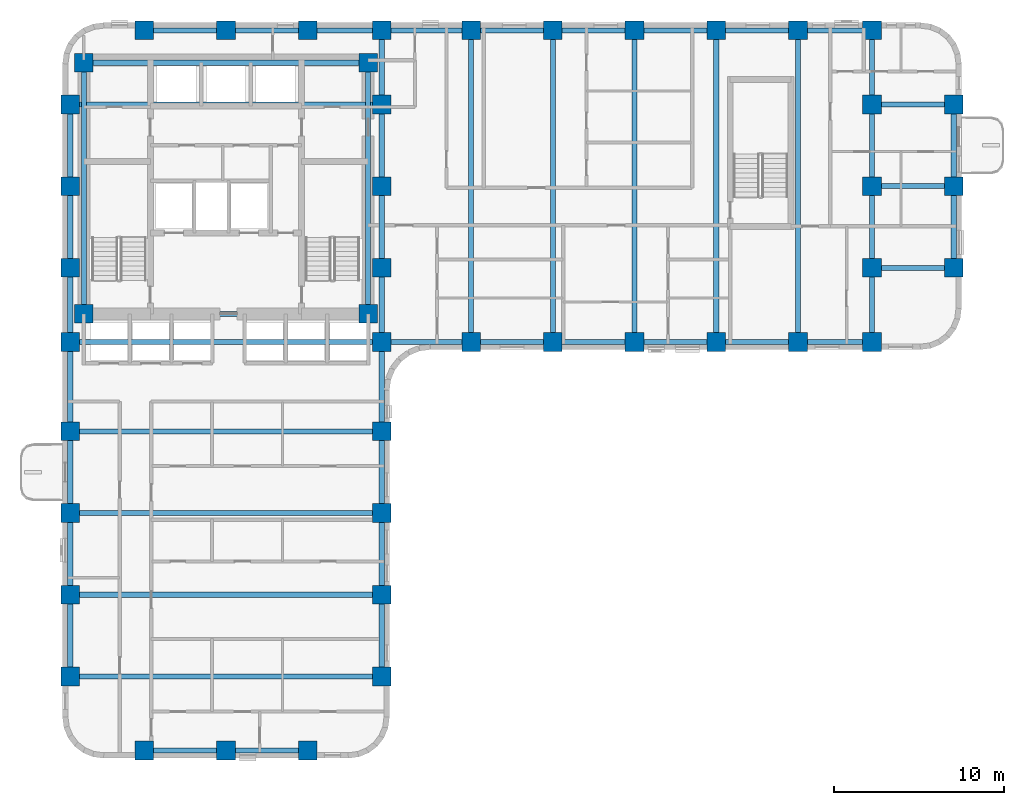
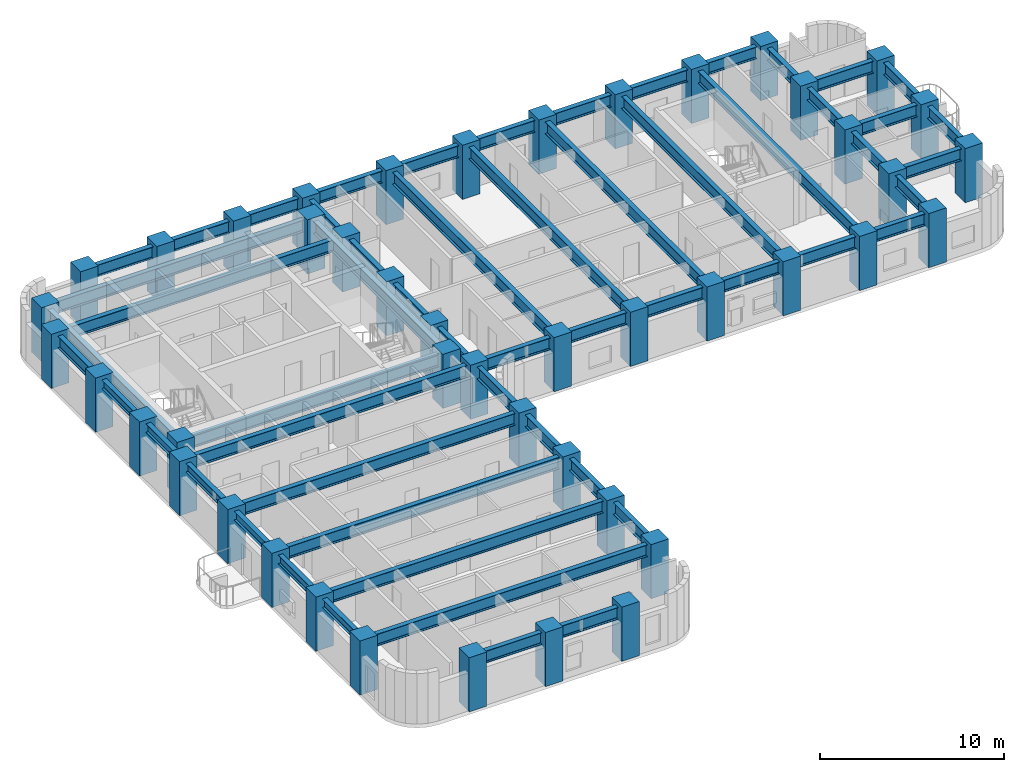
# One storey, part 1 of 10: 56 beams, 45 columns.
"""IFC4 building model written with IfcOpenShell, lengths in metres."""

from ifc_helpers import new_model, si_unit, direction, frame, origin, origin_2d, place, context, subcontext, project, spatial, rectangle, i_section, extrude, material, material_profile, profile_set, type_object, element, save


model = new_model("IFC4")

# Units and contexts
model_context = context("Model", 3, precision=1e-05, world=origin(), true_north=direction((0.0, 1.0)))
body_context = subcontext(model_context, "Body", "Model", "MODEL_VIEW")
ifc_project = project(units=[si_unit("LENGTHUNIT", "METRE"), si_unit("AREAUNIT", "SQUARE_METRE"), si_unit("VOLUMEUNIT", "CUBIC_METRE"), si_unit("PLANEANGLEUNIT", "RADIAN"), si_unit("MASSUNIT", "GRAM", prefix="KILO")], contexts=[model_context])

# Site, building, storey
site_placement = place(None, origin())
site = spatial("IfcSite", under=ifc_project, at=site_placement, CompositionType="ELEMENT")
building_placement = place(site_placement, origin())
building = spatial("IfcBuilding", under=site, at=building_placement, Name="Orvandelia Arch Residences", CompositionType="ELEMENT")
storey_placement = place(building_placement, frame((0.0, 0.0, 68.199951171875)))
storey = spatial("IfcBuildingStorey", under=building, at=storey_placement, Name="L17", CompositionType="ELEMENT", Elevation=68.199951171875)

# Columns
ifc_material_1 = material(Name="Concrete C80/95", Category="concrete")
ifc_material_profile_1 = material_profile(ifc_material_1, rectangle(XDim=1.10009765625, YDim=1.10009765625, at=origin_2d()), Name="Concrete C80/95", Category="concrete")
ifc_profile_set_1 = profile_set([ifc_material_profile_1], Name="Concrete C80/95")
column_type = type_object("IfcColumnType", Name="COL-TWR-1100", PredefinedType="COLUMN", material=ifc_profile_set_1)
for number, where, z_axis, x_axis, name in (
    (1, (5.25, 9.60009765625, 0.0), (0.0, 0.0, 1.0), (1.0, 0.0, 0.0), "Structural Column L17-W-W-96"),
    (2, (5.25, 14.39990234375, 0.0), (0.0, 0.0, 1.0), (1.0, 0.0, 0.0), "Structural Column L17-W-W-144"),
    (3, (5.25, 19.199951171875, 0.0), (0.0, 0.0, 1.0), (1.0, 0.0, 0.0), "Structural Column L17-W-W-192"),
    (4, (5.25, 24.0, 0.0), (0.0, 0.0, 1.0), (1.0, 0.0, 0.0), "Structural Column L17-W-W-240"),
    (5, (5.25, 29.25, 0.0), (0.0, 0.0, 1.0), (1.0, 0.0, 0.0), "Structural Column L17-W-W-292"),
    (6, (5.25, 33.60009765625, 0.0), (0.0, 0.0, 1.0), (1.0, 0.0, 0.0), "Structural Column L17-W-W-336"),
    (7, (5.25, 38.39990234375, 0.0), (0.0, 0.0, 1.0), (1.0, 0.0, 0.0), "Structural Column L17-W-W-384"),
    (8, (5.25, 43.199951171875, 0.0), (0.0, 0.0, 1.0), (1.0, 0.0, 0.0), "Structural Column L17-W-W-432"),
    (9, (6.050048828125, 30.89990234375, 0.0), (0.0, 0.0, 1.0), (1.0, 0.0, 0.0), "Structural Column L17-CR-SW"),
    (10, (6.050048828125, 45.64990234375, 0.0), (0.0, 0.0, 1.0), (1.0, 0.0, 0.0), "Structural Column L17-CR-NW"),
    (11, (9.60009765625, 5.25, 0.0), (0.0, 0.0, 1.0), (1.0, 0.0, 0.0), "Structural Column L17-W-S-96"),
    (12, (9.60009765625, 47.550048828125, 0.0), (0.0, 0.0, 1.0), (1.0, 0.0, 0.0), "Structural Column L17-W-N-96"),
    (13, (14.39990234375, 5.25, 0.0), (0.0, 0.0, 1.0), (1.0, 0.0, 0.0), "Structural Column L17-W-S-144"),
    (14, (14.39990234375, 47.550048828125, 0.0), (0.0, 0.0, 1.0), (1.0, 0.0, 0.0), "Structural Column L17-W-N-144"),
    (15, (19.199951171875, 5.25, 0.0), (0.0, 0.0, 1.0), (1.0, 0.0, 0.0), "Structural Column L17-W-S-192"),
    (16, (19.199951171875, 47.550048828125, 0.0), (0.0, 0.0, 1.0), (1.0, 0.0, 0.0), "Structural Column L17-W-N-192"),
    (17, (22.75, 30.89990234375, 0.0), (0.0, 0.0, 1.0), (1.0, 0.0, 0.0), "Structural Column L17-CR-SE"),
    (18, (22.75, 45.64990234375, 0.0), (0.0, 0.0, 1.0), (1.0, 0.0, 0.0), "Structural Column L17-CR-NE"),
    (19, (23.550048828125, 9.60009765625, 0.0), (0.0, 0.0, 1.0), (1.0, 0.0, 0.0), "Structural Column L17-W-E-96"),
    (20, (23.550048828125, 14.39990234375, 0.0), (0.0, 0.0, 1.0), (1.0, 0.0, 0.0), "Structural Column L17-W-E-144"),
    (21, (23.550048828125, 19.199951171875, 0.0), (0.0, 0.0, 1.0), (1.0, 0.0, 0.0), "Structural Column L17-W-E-192"),
    (22, (23.550048828125, 24.0, 0.0), (0.0, 0.0, 1.0), (1.0, 0.0, 0.0), "Structural Column L17-W-E-240"),
    (23, (23.550048828125, 29.25, 0.0), (0.0, 0.0, 1.0), (1.0, 0.0, 0.0), "Structural Column L17-W-E-292"),
    (24, (23.550048828125, 33.60009765625, 0.0), (0.0, 0.0, 1.0), (1.0, 0.0, 0.0), "Structural Column L17-W-E-336"),
    (25, (23.550048828125, 38.39990234375, 0.0), (0.0, 0.0, 1.0), (1.0, 0.0, 0.0), "Structural Column L17-W-E-384"),
    (26, (23.550048828125, 43.199951171875, 0.0), (0.0, 0.0, 1.0), (1.0, 0.0, 0.0), "Structural Column L17-W-E-432"),
    (27, (23.550048828125, 47.550048828125, 0.0), (0.0, 0.0, 1.0), (1.0, 0.0, 0.0), "Structural Column L17-W-N-235"),
    (28, (28.800048828125, 29.25, 0.0), (0.0, 0.0, 1.0), (1.0, 0.0, 0.0), "Structural Column L17-E-S-288"),
    (29, (28.800048828125, 47.550048828125, 0.0), (0.0, 0.0, 1.0), (1.0, 0.0, 0.0), "Structural Column L17-E-N-288"),
    (30, (33.60009765625, 29.25, 0.0), (0.0, 0.0, 1.0), (1.0, 0.0, 0.0), "Structural Column L17-E-S-336"),
    (31, (33.60009765625, 47.550048828125, 0.0), (0.0, 0.0, 1.0), (1.0, 0.0, 0.0), "Structural Column L17-E-N-336"),
    (32, (38.39990234375, 29.25, 0.0), (0.0, 0.0, 1.0), (1.0, 0.0, 0.0), "Structural Column L17-E-S-384"),
    (33, (38.39990234375, 47.550048828125, 0.0), (0.0, 0.0, 1.0), (1.0, 0.0, 0.0), "Structural Column L17-E-N-384"),
    (34, (43.199951171875, 29.25, 0.0), (0.0, 0.0, 1.0), (1.0, 0.0, 0.0), "Structural Column L17-E-S-432"),
    (35, (43.199951171875, 47.550048828125, 0.0), (0.0, 0.0, 1.0), (1.0, 0.0, 0.0), "Structural Column L17-E-N-432"),
    (36, (48.0, 29.25, 0.0), (0.0, 0.0, 1.0), (1.0, 0.0, 0.0), "Structural Column L17-E-S-480"),
    (37, (48.0, 47.550048828125, 0.0), (0.0, 0.0, 1.0), (1.0, 0.0, 0.0), "Structural Column L17-E-N-480"),
    (38, (52.35009765625, 29.25, 0.0), (0.0, 0.0, 1.0), (1.0, 0.0, 0.0), "Structural Column L17-E-S-523"),
    (39, (52.35009765625, 33.60009765625, 0.0), (0.0, 0.0, 1.0), (1.0, 0.0, 0.0), "Structural Column L17-E-523-336"),
    (40, (52.35009765625, 38.39990234375, 0.0), (0.0, 0.0, 1.0), (1.0, 0.0, 0.0), "Structural Column L17-E-523-384"),
    (41, (52.35009765625, 43.199951171875, 0.0), (0.0, 0.0, 1.0), (1.0, 0.0, 0.0), "Structural Column L17-E-523-432"),
    (42, (52.35009765625, 47.550048828125, 0.0), (0.0, 0.0, 1.0), (1.0, 0.0, 0.0), "Structural Column L17-E-N-523"),
    (43, (57.14990234375, 33.60009765625, 0.0), (0.0, 0.0, 1.0), (1.0, 0.0, 0.0), "Structural Column L17-E-571-336"),
    (44, (57.14990234375, 38.39990234375, 0.0), (0.0, 0.0, 1.0), (1.0, 0.0, 0.0), "Structural Column L17-E-571-384"),
    (45, (57.14990234375, 43.199951171875, 0.0), (0.0, 0.0, 1.0), (1.0, 0.0, 0.0), "Structural Column L17-E-571-432"),
):
    element("IfcColumn", number, at=place(storey_placement, frame(where, z_axis=z_axis, x_axis=x_axis)), inside=storey, type_object=column_type, Name=name, PredefinedType="COLUMN", context=body_context, shape_type="SweptSolid", body=[
        extrude(rectangle(XDim=1.10009765625, YDim=1.10009765625, at=origin_2d()), origin(), (0.0, 0.0, 1.0), 3.60009765625),
    ])

# Beams
ifc_material_2 = material(Name="Structural Steel SM355 (355 MPa)", Category="steel")
ifc_material_profile_2 = material_profile(ifc_material_2, i_section(OverallWidth=0.300048828125, OverallDepth=0.800048828125, WebThickness=0.013916015625, FlangeThickness=0.02587890625, FilletRadius=0.02587890625, at=origin_2d()), Name="Structural Steel SM355 (355 MPa)", Category="steel")
ifc_profile_set_2 = profile_set([ifc_material_profile_2], Name="Structural Steel SM355 (355 MPa)")
beam_type_1 = type_object("IfcBeamType", Name="BM-GRD-H800", PredefinedType="BEAM", material=ifc_profile_set_2)
beam_1_placement = place(storey_placement, frame((5.25, 38.39990234375, 2.949951171875), z_axis=(0.0, 1.0, 0.0), x_axis=(-1.0, 0.0, 0.0)))
element("IfcBeam", 46, at=beam_1_placement, inside=storey, type_object=beam_type_1, Name="Structural Frame Beam L17-NS-007", PredefinedType="BEAM", context=body_context, shape_type="SweptSolid", body=[
    extrude(i_section(OverallWidth=0.300048828125, OverallDepth=0.800048828125, WebThickness=0.013916015625, FlangeThickness=0.02587890625, FilletRadius=0.02587890625, at=origin_2d()), origin(), (0.0, 0.0, 1.0), 4.800048828125),
])
for number, where, z_axis, x_axis, name in (
    (47, (6.050048828125, 30.89990234375, 2.949951171875), (0.0, 1.0, 0.0), (-1.0, 0.0, 0.0), "Structural Frame Beam L17-NS-008"),
    (48, (22.75, 30.89990234375, 2.949951171875), (0.0, 1.0, 0.0), (-1.0, 0.0, 0.0), "Structural Frame Beam L17-NS-009"),
):
    element("IfcBeam", number, at=place(storey_placement, frame(where, z_axis=z_axis, x_axis=x_axis)), inside=storey, type_object=beam_type_1, Name=name, PredefinedType="BEAM", context=body_context, shape_type="SweptSolid", body=[
        extrude(i_section(OverallWidth=0.300048828125, OverallDepth=0.800048828125, WebThickness=0.013916015625, FlangeThickness=0.02587890625, FilletRadius=0.02587890625, at=origin_2d()), origin(), (0.0, 0.0, 1.0), 14.75),
    ])
beam_2_placement = place(storey_placement, frame((23.550048828125, 9.60009765625, 2.949951171875), z_axis=(0.0, 1.0, 0.0), x_axis=(-1.0, 0.0, 0.0)))
element("IfcBeam", 49, at=beam_2_placement, inside=storey, type_object=beam_type_1, Name="Structural Frame Beam L17-NS-010", PredefinedType="BEAM", context=body_context, shape_type="SweptSolid", body=[
    extrude(i_section(OverallWidth=0.300048828125, OverallDepth=0.800048828125, WebThickness=0.013916015625, FlangeThickness=0.02587890625, FilletRadius=0.02587890625, at=origin_2d()), origin(), (0.0, 0.0, 1.0), 4.7998046875),
])
for number, where, z_axis, x_axis, name in (
    (50, (23.550048828125, 14.39990234375, 2.949951171875), (0.0, 1.0, 0.0), (-1.0, 0.0, 0.0), "Structural Frame Beam L17-NS-011"),
    (51, (23.550048828125, 19.199951171875, 2.949951171875), (0.0, 1.0, 0.0), (-1.0, 0.0, 0.0), "Structural Frame Beam L17-NS-012"),
):
    element("IfcBeam", number, at=place(storey_placement, frame(where, z_axis=z_axis, x_axis=x_axis)), inside=storey, type_object=beam_type_1, Name=name, PredefinedType="BEAM", context=body_context, shape_type="SweptSolid", body=[
        extrude(i_section(OverallWidth=0.300048828125, OverallDepth=0.800048828125, WebThickness=0.013916015625, FlangeThickness=0.02587890625, FilletRadius=0.02587890625, at=origin_2d()), origin(), (0.0, 0.0, 1.0), 4.800048828125),
    ])
beam_3_placement = place(storey_placement, frame((23.550048828125, 24.0, 2.949951171875), z_axis=(0.0, 1.0, 0.0), x_axis=(-1.0, 0.0, 0.0)))
element("IfcBeam", 52, at=beam_3_placement, inside=storey, type_object=beam_type_1, Name="Structural Frame Beam L17-NS-013", PredefinedType="BEAM", context=body_context, shape_type="SweptSolid", body=[
    extrude(i_section(OverallWidth=0.300048828125, OverallDepth=0.800048828125, WebThickness=0.013916015625, FlangeThickness=0.02587890625, FilletRadius=0.02587890625, at=origin_2d()), origin(), (0.0, 0.0, 1.0), 5.25),
])
beam_4_placement = place(storey_placement, frame((23.550048828125, 29.25, 2.949951171875), z_axis=(0.0, 1.0, 0.0), x_axis=(-1.0, 0.0, 0.0)))
element("IfcBeam", 53, at=beam_4_placement, inside=storey, type_object=beam_type_1, Name="Structural Frame Beam L17-NS-014", PredefinedType="BEAM", context=body_context, shape_type="SweptSolid", body=[
    extrude(i_section(OverallWidth=0.300048828125, OverallDepth=0.800048828125, WebThickness=0.013916015625, FlangeThickness=0.02587890625, FilletRadius=0.02587890625, at=origin_2d()), origin(), (0.0, 0.0, 1.0), 4.35009765625),
])
beam_5_placement = place(storey_placement, frame((23.550048828125, 33.60009765625, 2.949951171875), z_axis=(0.0, 1.0, 0.0), x_axis=(-1.0, 0.0, 0.0)))
element("IfcBeam", 54, at=beam_5_placement, inside=storey, type_object=beam_type_1, Name="Structural Frame Beam L17-NS-015", PredefinedType="BEAM", context=body_context, shape_type="SweptSolid", body=[
    extrude(i_section(OverallWidth=0.300048828125, OverallDepth=0.800048828125, WebThickness=0.013916015625, FlangeThickness=0.02587890625, FilletRadius=0.02587890625, at=origin_2d()), origin(), (0.0, 0.0, 1.0), 4.7998046875),
])
beam_6_placement = place(storey_placement, frame((23.550048828125, 38.39990234375, 2.949951171875), z_axis=(0.0, 1.0, 0.0), x_axis=(-1.0, 0.0, 0.0)))
element("IfcBeam", 55, at=beam_6_placement, inside=storey, type_object=beam_type_1, Name="Structural Frame Beam L17-NS-016", PredefinedType="BEAM", context=body_context, shape_type="SweptSolid", body=[
    extrude(i_section(OverallWidth=0.300048828125, OverallDepth=0.800048828125, WebThickness=0.013916015625, FlangeThickness=0.02587890625, FilletRadius=0.02587890625, at=origin_2d()), origin(), (0.0, 0.0, 1.0), 4.800048828125),
])
beam_7_placement = place(storey_placement, frame((23.550048828125, 43.199951171875, 2.949951171875), z_axis=(0.0, 1.0, 0.0), x_axis=(-1.0, 0.0, 0.0)))
element("IfcBeam", 56, at=beam_7_placement, inside=storey, type_object=beam_type_1, Name="Structural Frame Beam L17-NS-017", PredefinedType="BEAM", context=body_context, shape_type="SweptSolid", body=[
    extrude(i_section(OverallWidth=0.300048828125, OverallDepth=0.800048828125, WebThickness=0.013916015625, FlangeThickness=0.02587890625, FilletRadius=0.02587890625, at=origin_2d()), origin(), (0.0, 0.0, 1.0), 4.35009765625),
])
for number, where, z_axis, x_axis, name in (
    (57, (28.800048828125, 29.25, 2.949951171875), (0.0, 1.0, 0.0), (-1.0, 0.0, 0.0), "Structural Frame Beam L17-NS-018"),
    (58, (33.60009765625, 29.25, 2.949951171875), (0.0, 1.0, 0.0), (-1.0, 0.0, 0.0), "Structural Frame Beam L17-NS-019"),
    (59, (38.39990234375, 29.25, 2.949951171875), (0.0, 1.0, 0.0), (-1.0, 0.0, 0.0), "Structural Frame Beam L17-NS-020"),
    (60, (43.199951171875, 29.25, 2.949951171875), (0.0, 1.0, 0.0), (-1.0, 0.0, 0.0), "Structural Frame Beam L17-NS-021"),
    (61, (48.0, 29.25, 2.949951171875), (0.0, 1.0, 0.0), (-1.0, 0.0, 0.0), "Structural Frame Beam L17-NS-022"),
):
    element("IfcBeam", number, at=place(storey_placement, frame(where, z_axis=z_axis, x_axis=x_axis)), inside=storey, type_object=beam_type_1, Name=name, PredefinedType="BEAM", context=body_context, shape_type="SweptSolid", body=[
        extrude(i_section(OverallWidth=0.300048828125, OverallDepth=0.800048828125, WebThickness=0.013916015625, FlangeThickness=0.02587890625, FilletRadius=0.02587890625, at=origin_2d()), origin(), (0.0, 0.0, 1.0), 18.300048828125),
    ])
beam_8_placement = place(storey_placement, frame((52.35009765625, 29.25, 2.949951171875), z_axis=(0.0, 1.0, 0.0), x_axis=(-1.0, 0.0, 0.0)))
element("IfcBeam", 62, at=beam_8_placement, inside=storey, type_object=beam_type_1, Name="Structural Frame Beam L17-NS-023", PredefinedType="BEAM", context=body_context, shape_type="SweptSolid", body=[
    extrude(i_section(OverallWidth=0.300048828125, OverallDepth=0.800048828125, WebThickness=0.013916015625, FlangeThickness=0.02587890625, FilletRadius=0.02587890625, at=origin_2d()), origin(), (0.0, 0.0, 1.0), 4.35009765625),
])
beam_9_placement = place(storey_placement, frame((52.35009765625, 33.60009765625, 2.949951171875), z_axis=(0.0, 1.0, 0.0), x_axis=(-1.0, 0.0, 0.0)))
element("IfcBeam", 63, at=beam_9_placement, inside=storey, type_object=beam_type_1, Name="Structural Frame Beam L17-NS-024", PredefinedType="BEAM", context=body_context, shape_type="SweptSolid", body=[
    extrude(i_section(OverallWidth=0.300048828125, OverallDepth=0.800048828125, WebThickness=0.013916015625, FlangeThickness=0.02587890625, FilletRadius=0.02587890625, at=origin_2d()), origin(), (0.0, 0.0, 1.0), 4.7998046875),
])
beam_10_placement = place(storey_placement, frame((52.35009765625, 38.39990234375, 2.949951171875), z_axis=(0.0, 1.0, 0.0), x_axis=(-1.0, 0.0, 0.0)))
element("IfcBeam", 64, at=beam_10_placement, inside=storey, type_object=beam_type_1, Name="Structural Frame Beam L17-NS-025", PredefinedType="BEAM", context=body_context, shape_type="SweptSolid", body=[
    extrude(i_section(OverallWidth=0.300048828125, OverallDepth=0.800048828125, WebThickness=0.013916015625, FlangeThickness=0.02587890625, FilletRadius=0.02587890625, at=origin_2d()), origin(), (0.0, 0.0, 1.0), 4.800048828125),
])
beam_11_placement = place(storey_placement, frame((52.35009765625, 43.199951171875, 2.949951171875), z_axis=(0.0, 1.0, 0.0), x_axis=(-1.0, 0.0, 0.0)))
element("IfcBeam", 65, at=beam_11_placement, inside=storey, type_object=beam_type_1, Name="Structural Frame Beam L17-NS-026", PredefinedType="BEAM", context=body_context, shape_type="SweptSolid", body=[
    extrude(i_section(OverallWidth=0.300048828125, OverallDepth=0.800048828125, WebThickness=0.013916015625, FlangeThickness=0.02587890625, FilletRadius=0.02587890625, at=origin_2d()), origin(), (0.0, 0.0, 1.0), 4.35009765625),
])
beam_12_placement = place(storey_placement, frame((57.14990234375, 33.60009765625, 2.949951171875), z_axis=(0.0, 1.0, 0.0), x_axis=(-1.0, 0.0, 0.0)))
element("IfcBeam", 66, at=beam_12_placement, inside=storey, type_object=beam_type_1, Name="Structural Frame Beam L17-NS-027", PredefinedType="BEAM", context=body_context, shape_type="SweptSolid", body=[
    extrude(i_section(OverallWidth=0.300048828125, OverallDepth=0.800048828125, WebThickness=0.013916015625, FlangeThickness=0.02587890625, FilletRadius=0.02587890625, at=origin_2d()), origin(), (0.0, 0.0, 1.0), 4.7998046875),
])
beam_13_placement = place(storey_placement, frame((57.14990234375, 38.39990234375, 2.949951171875), z_axis=(0.0, 1.0, 0.0), x_axis=(-1.0, 0.0, 0.0)))
element("IfcBeam", 67, at=beam_13_placement, inside=storey, type_object=beam_type_1, Name="Structural Frame Beam L17-NS-028", PredefinedType="BEAM", context=body_context, shape_type="SweptSolid", body=[
    extrude(i_section(OverallWidth=0.300048828125, OverallDepth=0.800048828125, WebThickness=0.013916015625, FlangeThickness=0.02587890625, FilletRadius=0.02587890625, at=origin_2d()), origin(), (0.0, 0.0, 1.0), 4.800048828125),
])
beam_14_placement = place(storey_placement, frame((9.60009765625, 5.25, 2.949951171875), z_axis=(1.0, 0.0, 0.0), x_axis=(0.0, 1.0, 0.0)))
element("IfcBeam", 68, at=beam_14_placement, inside=storey, type_object=beam_type_1, Name="Structural Frame Girder L17-EW-029", PredefinedType="BEAM", context=body_context, shape_type="SweptSolid", body=[
    extrude(i_section(OverallWidth=0.300048828125, OverallDepth=0.800048828125, WebThickness=0.013916015625, FlangeThickness=0.02587890625, FilletRadius=0.02587890625, at=origin_2d()), origin(), (0.0, 0.0, 1.0), 4.7998046875),
])
beam_15_placement = place(storey_placement, frame((14.39990234375, 5.25, 2.949951171875), z_axis=(1.0, 0.0, 0.0), x_axis=(0.0, 1.0, 0.0)))
element("IfcBeam", 69, at=beam_15_placement, inside=storey, type_object=beam_type_1, Name="Structural Frame Girder L17-EW-030", PredefinedType="BEAM", context=body_context, shape_type="SweptSolid", body=[
    extrude(i_section(OverallWidth=0.300048828125, OverallDepth=0.800048828125, WebThickness=0.013916015625, FlangeThickness=0.02587890625, FilletRadius=0.02587890625, at=origin_2d()), origin(), (0.0, 0.0, 1.0), 4.800048828125),
])
for number, where, z_axis, x_axis, name in (
    (70, (5.25, 9.60009765625, 2.949951171875), (1.0, 0.0, 0.0), (0.0, 1.0, 0.0), "Structural Frame Girder L17-EW-031"),
    (71, (5.25, 14.39990234375, 2.949951171875), (1.0, 0.0, 0.0), (0.0, 1.0, 0.0), "Structural Frame Girder L17-EW-032"),
    (72, (5.25, 19.199951171875, 2.949951171875), (1.0, 0.0, 0.0), (0.0, 1.0, 0.0), "Structural Frame Girder L17-EW-033"),
    (73, (5.25, 24.0, 2.949951171875), (1.0, 0.0, 0.0), (0.0, 1.0, 0.0), "Structural Frame Girder L17-EW-034"),
    (74, (5.25, 29.25, 2.949951171875), (1.0, 0.0, 0.0), (0.0, 1.0, 0.0), "Structural Frame Girder L17-EW-035"),
):
    element("IfcBeam", number, at=place(storey_placement, frame(where, z_axis=z_axis, x_axis=x_axis)), inside=storey, type_object=beam_type_1, Name=name, PredefinedType="BEAM", context=body_context, shape_type="SweptSolid", body=[
        extrude(i_section(OverallWidth=0.300048828125, OverallDepth=0.800048828125, WebThickness=0.013916015625, FlangeThickness=0.02587890625, FilletRadius=0.02587890625, at=origin_2d()), origin(), (0.0, 0.0, 1.0), 18.300048828125),
    ])
beam_16_placement = place(storey_placement, frame((23.550048828125, 29.25, 2.949951171875), z_axis=(1.0, 0.0, 0.0), x_axis=(0.0, 1.0, 0.0)))
element("IfcBeam", 75, at=beam_16_placement, inside=storey, type_object=beam_type_1, Name="Structural Frame Girder L17-EW-036", PredefinedType="BEAM", context=body_context, shape_type="SweptSolid", body=[
    extrude(i_section(OverallWidth=0.300048828125, OverallDepth=0.800048828125, WebThickness=0.013916015625, FlangeThickness=0.02587890625, FilletRadius=0.02587890625, at=origin_2d()), origin(), (0.0, 0.0, 1.0), 5.25),
])
beam_17_placement = place(storey_placement, frame((28.800048828125, 29.25, 2.949951171875), z_axis=(1.0, 0.0, 0.0), x_axis=(0.0, 1.0, 0.0)))
element("IfcBeam", 76, at=beam_17_placement, inside=storey, type_object=beam_type_1, Name="Structural Frame Girder L17-EW-037", PredefinedType="BEAM", context=body_context, shape_type="SweptSolid", body=[
    extrude(i_section(OverallWidth=0.300048828125, OverallDepth=0.800048828125, WebThickness=0.013916015625, FlangeThickness=0.02587890625, FilletRadius=0.02587890625, at=origin_2d()), origin(), (0.0, 0.0, 1.0), 4.800048828125),
])
beam_18_placement = place(storey_placement, frame((33.60009765625, 29.25, 2.949951171875), z_axis=(1.0, 0.0, 0.0), x_axis=(0.0, 1.0, 0.0)))
element("IfcBeam", 77, at=beam_18_placement, inside=storey, type_object=beam_type_1, Name="Structural Frame Girder L17-EW-038", PredefinedType="BEAM", context=body_context, shape_type="SweptSolid", body=[
    extrude(i_section(OverallWidth=0.300048828125, OverallDepth=0.800048828125, WebThickness=0.013916015625, FlangeThickness=0.02587890625, FilletRadius=0.02587890625, at=origin_2d()), origin(), (0.0, 0.0, 1.0), 4.7998046875),
])
for number, where, z_axis, x_axis, name in (
    (78, (38.39990234375, 29.25, 2.949951171875), (1.0, 0.0, 0.0), (0.0, 1.0, 0.0), "Structural Frame Girder L17-EW-039"),
    (79, (43.199951171875, 29.25, 2.949951171875), (1.0, 0.0, 0.0), (0.0, 1.0, 0.0), "Structural Frame Girder L17-EW-040"),
):
    element("IfcBeam", number, at=place(storey_placement, frame(where, z_axis=z_axis, x_axis=x_axis)), inside=storey, type_object=beam_type_1, Name=name, PredefinedType="BEAM", context=body_context, shape_type="SweptSolid", body=[
        extrude(i_section(OverallWidth=0.300048828125, OverallDepth=0.800048828125, WebThickness=0.013916015625, FlangeThickness=0.02587890625, FilletRadius=0.02587890625, at=origin_2d()), origin(), (0.0, 0.0, 1.0), 4.800048828125),
    ])
beam_19_placement = place(storey_placement, frame((48.0, 29.25, 2.949951171875), z_axis=(1.0, 0.0, 0.0), x_axis=(0.0, 1.0, 0.0)))
element("IfcBeam", 80, at=beam_19_placement, inside=storey, type_object=beam_type_1, Name="Structural Frame Girder L17-EW-041", PredefinedType="BEAM", context=body_context, shape_type="SweptSolid", body=[
    extrude(i_section(OverallWidth=0.300048828125, OverallDepth=0.800048828125, WebThickness=0.013916015625, FlangeThickness=0.02587890625, FilletRadius=0.02587890625, at=origin_2d()), origin(), (0.0, 0.0, 1.0), 4.35009765625),
])
beam_20_placement = place(storey_placement, frame((6.050048828125, 30.89990234375, 2.949951171875), z_axis=(1.0, 0.0, 0.0), x_axis=(0.0, 1.0, 0.0)))
element("IfcBeam", 81, at=beam_20_placement, inside=storey, type_object=beam_type_1, Name="Structural Frame Girder L17-EW-042", PredefinedType="BEAM", context=body_context, shape_type="SweptSolid", body=[
    extrude(i_section(OverallWidth=0.300048828125, OverallDepth=0.800048828125, WebThickness=0.013916015625, FlangeThickness=0.02587890625, FilletRadius=0.02587890625, at=origin_2d()), origin(), (0.0, 0.0, 1.0), 16.699951171875),
])
for number, where, z_axis, x_axis, name in (
    (82, (52.35009765625, 33.60009765625, 2.949951171875), (1.0, 0.0, 0.0), (0.0, 1.0, 0.0), "Structural Frame Girder L17-EW-044"),
    (83, (52.35009765625, 38.39990234375, 2.949951171875), (1.0, 0.0, 0.0), (0.0, 1.0, 0.0), "Structural Frame Girder L17-EW-046"),
):
    element("IfcBeam", number, at=place(storey_placement, frame(where, z_axis=z_axis, x_axis=x_axis)), inside=storey, type_object=beam_type_1, Name=name, PredefinedType="BEAM", context=body_context, shape_type="SweptSolid", body=[
        extrude(i_section(OverallWidth=0.300048828125, OverallDepth=0.800048828125, WebThickness=0.013916015625, FlangeThickness=0.02587890625, FilletRadius=0.02587890625, at=origin_2d()), origin(), (0.0, 0.0, 1.0), 4.7998046875),
    ])
beam_21_placement = place(storey_placement, frame((5.25, 43.199951171875, 2.949951171875), z_axis=(1.0, 0.0, 0.0), x_axis=(0.0, 1.0, 0.0)))
element("IfcBeam", 84, at=beam_21_placement, inside=storey, type_object=beam_type_1, Name="Structural Frame Girder L17-EW-047", PredefinedType="BEAM", context=body_context, shape_type="SweptSolid", body=[
    extrude(i_section(OverallWidth=0.300048828125, OverallDepth=0.800048828125, WebThickness=0.013916015625, FlangeThickness=0.02587890625, FilletRadius=0.02587890625, at=origin_2d()), origin(), (0.0, 0.0, 1.0), 18.300048828125),
])
beam_22_placement = place(storey_placement, frame((52.35009765625, 43.199951171875, 2.949951171875), z_axis=(1.0, 0.0, 0.0), x_axis=(0.0, 1.0, 0.0)))
element("IfcBeam", 85, at=beam_22_placement, inside=storey, type_object=beam_type_1, Name="Structural Frame Girder L17-EW-048", PredefinedType="BEAM", context=body_context, shape_type="SweptSolid", body=[
    extrude(i_section(OverallWidth=0.300048828125, OverallDepth=0.800048828125, WebThickness=0.013916015625, FlangeThickness=0.02587890625, FilletRadius=0.02587890625, at=origin_2d()), origin(), (0.0, 0.0, 1.0), 4.7998046875),
])
beam_23_placement = place(storey_placement, frame((6.050048828125, 45.64990234375, 2.949951171875), z_axis=(1.0, 0.0, 0.0), x_axis=(0.0, 1.0, 0.0)))
element("IfcBeam", 86, at=beam_23_placement, inside=storey, type_object=beam_type_1, Name="Structural Frame Girder L17-EW-049", PredefinedType="BEAM", context=body_context, shape_type="SweptSolid", body=[
    extrude(i_section(OverallWidth=0.300048828125, OverallDepth=0.800048828125, WebThickness=0.013916015625, FlangeThickness=0.02587890625, FilletRadius=0.02587890625, at=origin_2d()), origin(), (0.0, 0.0, 1.0), 16.699951171875),
])
beam_24_placement = place(storey_placement, frame((9.60009765625, 47.550048828125, 2.949951171875), z_axis=(1.0, 0.0, 0.0), x_axis=(0.0, 1.0, 0.0)))
element("IfcBeam", 87, at=beam_24_placement, inside=storey, type_object=beam_type_1, Name="Structural Frame Girder L17-EW-050", PredefinedType="BEAM", context=body_context, shape_type="SweptSolid", body=[
    extrude(i_section(OverallWidth=0.300048828125, OverallDepth=0.800048828125, WebThickness=0.013916015625, FlangeThickness=0.02587890625, FilletRadius=0.02587890625, at=origin_2d()), origin(), (0.0, 0.0, 1.0), 4.7998046875),
])
beam_25_placement = place(storey_placement, frame((14.39990234375, 47.550048828125, 2.949951171875), z_axis=(1.0, 0.0, 0.0), x_axis=(0.0, 1.0, 0.0)))
element("IfcBeam", 88, at=beam_25_placement, inside=storey, type_object=beam_type_1, Name="Structural Frame Girder L17-EW-051", PredefinedType="BEAM", context=body_context, shape_type="SweptSolid", body=[
    extrude(i_section(OverallWidth=0.300048828125, OverallDepth=0.800048828125, WebThickness=0.013916015625, FlangeThickness=0.02587890625, FilletRadius=0.02587890625, at=origin_2d()), origin(), (0.0, 0.0, 1.0), 4.800048828125),
])
beam_26_placement = place(storey_placement, frame((19.199951171875, 47.550048828125, 2.949951171875), z_axis=(1.0, 0.0, 0.0), x_axis=(0.0, 1.0, 0.0)))
element("IfcBeam", 89, at=beam_26_placement, inside=storey, type_object=beam_type_1, Name="Structural Frame Girder L17-EW-052", PredefinedType="BEAM", context=body_context, shape_type="SweptSolid", body=[
    extrude(i_section(OverallWidth=0.300048828125, OverallDepth=0.800048828125, WebThickness=0.013916015625, FlangeThickness=0.02587890625, FilletRadius=0.02587890625, at=origin_2d()), origin(), (0.0, 0.0, 1.0), 4.35009765625),
])
beam_27_placement = place(storey_placement, frame((23.550048828125, 47.550048828125, 2.949951171875), z_axis=(1.0, 0.0, 0.0), x_axis=(0.0, 1.0, 0.0)))
element("IfcBeam", 90, at=beam_27_placement, inside=storey, type_object=beam_type_1, Name="Structural Frame Girder L17-EW-053", PredefinedType="BEAM", context=body_context, shape_type="SweptSolid", body=[
    extrude(i_section(OverallWidth=0.300048828125, OverallDepth=0.800048828125, WebThickness=0.013916015625, FlangeThickness=0.02587890625, FilletRadius=0.02587890625, at=origin_2d()), origin(), (0.0, 0.0, 1.0), 5.25),
])
beam_28_placement = place(storey_placement, frame((28.800048828125, 47.550048828125, 2.949951171875), z_axis=(1.0, 0.0, 0.0), x_axis=(0.0, 1.0, 0.0)))
element("IfcBeam", 91, at=beam_28_placement, inside=storey, type_object=beam_type_1, Name="Structural Frame Girder L17-EW-054", PredefinedType="BEAM", context=body_context, shape_type="SweptSolid", body=[
    extrude(i_section(OverallWidth=0.300048828125, OverallDepth=0.800048828125, WebThickness=0.013916015625, FlangeThickness=0.02587890625, FilletRadius=0.02587890625, at=origin_2d()), origin(), (0.0, 0.0, 1.0), 4.800048828125),
])
beam_29_placement = place(storey_placement, frame((33.60009765625, 47.550048828125, 2.949951171875), z_axis=(1.0, 0.0, 0.0), x_axis=(0.0, 1.0, 0.0)))
element("IfcBeam", 92, at=beam_29_placement, inside=storey, type_object=beam_type_1, Name="Structural Frame Girder L17-EW-055", PredefinedType="BEAM", context=body_context, shape_type="SweptSolid", body=[
    extrude(i_section(OverallWidth=0.300048828125, OverallDepth=0.800048828125, WebThickness=0.013916015625, FlangeThickness=0.02587890625, FilletRadius=0.02587890625, at=origin_2d()), origin(), (0.0, 0.0, 1.0), 4.7998046875),
])
for number, where, z_axis, x_axis, name in (
    (93, (38.39990234375, 47.550048828125, 2.949951171875), (1.0, 0.0, 0.0), (0.0, 1.0, 0.0), "Structural Frame Girder L17-EW-056"),
    (94, (43.199951171875, 47.550048828125, 2.949951171875), (1.0, 0.0, 0.0), (0.0, 1.0, 0.0), "Structural Frame Girder L17-EW-057"),
):
    element("IfcBeam", number, at=place(storey_placement, frame(where, z_axis=z_axis, x_axis=x_axis)), inside=storey, type_object=beam_type_1, Name=name, PredefinedType="BEAM", context=body_context, shape_type="SweptSolid", body=[
        extrude(i_section(OverallWidth=0.300048828125, OverallDepth=0.800048828125, WebThickness=0.013916015625, FlangeThickness=0.02587890625, FilletRadius=0.02587890625, at=origin_2d()), origin(), (0.0, 0.0, 1.0), 4.800048828125),
    ])
beam_30_placement = place(storey_placement, frame((48.0, 47.550048828125, 2.949951171875), z_axis=(1.0, 0.0, 0.0), x_axis=(0.0, 1.0, 0.0)))
element("IfcBeam", 95, at=beam_30_placement, inside=storey, type_object=beam_type_1, Name="Structural Frame Girder L17-EW-058", PredefinedType="BEAM", context=body_context, shape_type="SweptSolid", body=[
    extrude(i_section(OverallWidth=0.300048828125, OverallDepth=0.800048828125, WebThickness=0.013916015625, FlangeThickness=0.02587890625, FilletRadius=0.02587890625, at=origin_2d()), origin(), (0.0, 0.0, 1.0), 4.35009765625),
])
ifc_material_profile_3 = material_profile(ifc_material_2, i_section(OverallWidth=0.300048828125, OverallDepth=0.587890625, WebThickness=0.011962890625, FlangeThickness=0.02001953125, FilletRadius=0.02197265625, at=origin_2d()), Name="Structural Steel SM355 (355 MPa)", Category="steel")
ifc_profile_set_3 = profile_set([ifc_material_profile_3], Name="Structural Steel SM355 (355 MPa)")
beam_type_2 = type_object("IfcBeamType", Name="BM-SPN-H588", PredefinedType="SPANDREL", material=ifc_profile_set_3)
beam_31_placement = place(storey_placement, frame((5.25, 9.60009765625, 3.05615234375), z_axis=(0.0, 1.0, 0.0), x_axis=(-1.0, 0.0, 0.0)))
element("IfcBeam", 96, at=beam_31_placement, inside=storey, type_object=beam_type_2, Name="Structural Frame Beam L17-NS-001", PredefinedType="SPANDREL", context=body_context, shape_type="SweptSolid", body=[
    extrude(i_section(OverallWidth=0.300048828125, OverallDepth=0.587890625, WebThickness=0.011962890625, FlangeThickness=0.02001953125, FilletRadius=0.02197265625, at=origin_2d()), origin(), (0.0, 0.0, 1.0), 4.7998046875),
])
for number, where, z_axis, x_axis, name in (
    (97, (5.25, 14.39990234375, 3.05615234375), (0.0, 1.0, 0.0), (-1.0, 0.0, 0.0), "Structural Frame Beam L17-NS-002"),
    (98, (5.25, 19.199951171875, 3.05615234375), (0.0, 1.0, 0.0), (-1.0, 0.0, 0.0), "Structural Frame Beam L17-NS-003"),
):
    element("IfcBeam", number, at=place(storey_placement, frame(where, z_axis=z_axis, x_axis=x_axis)), inside=storey, type_object=beam_type_2, Name=name, PredefinedType="SPANDREL", context=body_context, shape_type="SweptSolid", body=[
        extrude(i_section(OverallWidth=0.300048828125, OverallDepth=0.587890625, WebThickness=0.011962890625, FlangeThickness=0.02001953125, FilletRadius=0.02197265625, at=origin_2d()), origin(), (0.0, 0.0, 1.0), 4.800048828125),
    ])
beam_32_placement = place(storey_placement, frame((5.25, 24.0, 3.05615234375), z_axis=(0.0, 1.0, 0.0), x_axis=(-1.0, 0.0, 0.0)))
element("IfcBeam", 99, at=beam_32_placement, inside=storey, type_object=beam_type_2, Name="Structural Frame Beam L17-NS-004", PredefinedType="SPANDREL", context=body_context, shape_type="SweptSolid", body=[
    extrude(i_section(OverallWidth=0.300048828125, OverallDepth=0.587890625, WebThickness=0.011962890625, FlangeThickness=0.02001953125, FilletRadius=0.02197265625, at=origin_2d()), origin(), (0.0, 0.0, 1.0), 5.25),
])
beam_33_placement = place(storey_placement, frame((5.25, 29.25, 3.05615234375), z_axis=(0.0, 1.0, 0.0), x_axis=(-1.0, 0.0, 0.0)))
element("IfcBeam", 100, at=beam_33_placement, inside=storey, type_object=beam_type_2, Name="Structural Frame Beam L17-NS-005", PredefinedType="SPANDREL", context=body_context, shape_type="SweptSolid", body=[
    extrude(i_section(OverallWidth=0.300048828125, OverallDepth=0.587890625, WebThickness=0.011962890625, FlangeThickness=0.02001953125, FilletRadius=0.02197265625, at=origin_2d()), origin(), (0.0, 0.0, 1.0), 4.35009765625),
])
beam_34_placement = place(storey_placement, frame((5.25, 33.60009765625, 3.05615234375), z_axis=(0.0, 1.0, 0.0), x_axis=(-1.0, 0.0, 0.0)))
element("IfcBeam", 101, at=beam_34_placement, inside=storey, type_object=beam_type_2, Name="Structural Frame Beam L17-NS-006", PredefinedType="SPANDREL", context=body_context, shape_type="SweptSolid", body=[
    extrude(i_section(OverallWidth=0.300048828125, OverallDepth=0.587890625, WebThickness=0.011962890625, FlangeThickness=0.02001953125, FilletRadius=0.02197265625, at=origin_2d()), origin(), (0.0, 0.0, 1.0), 4.7998046875),
])

save(model, "model.ifc")
